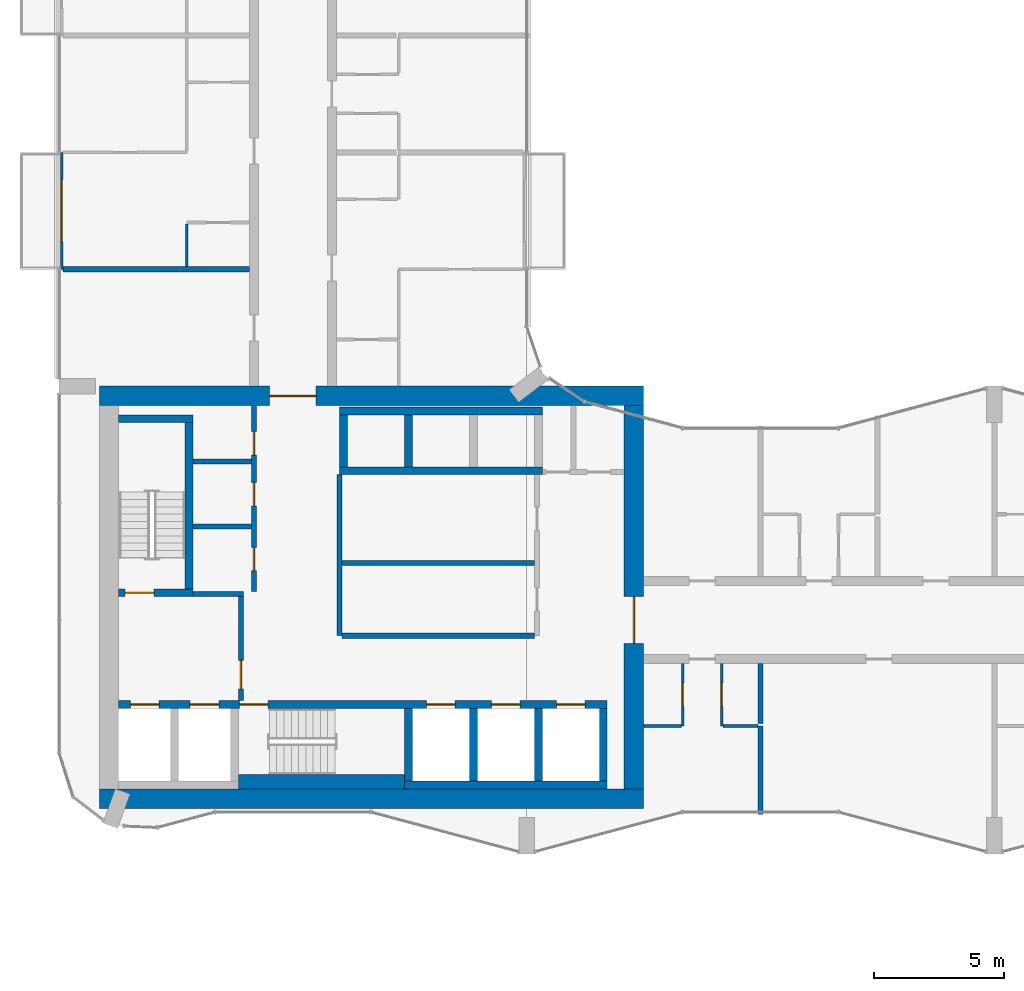
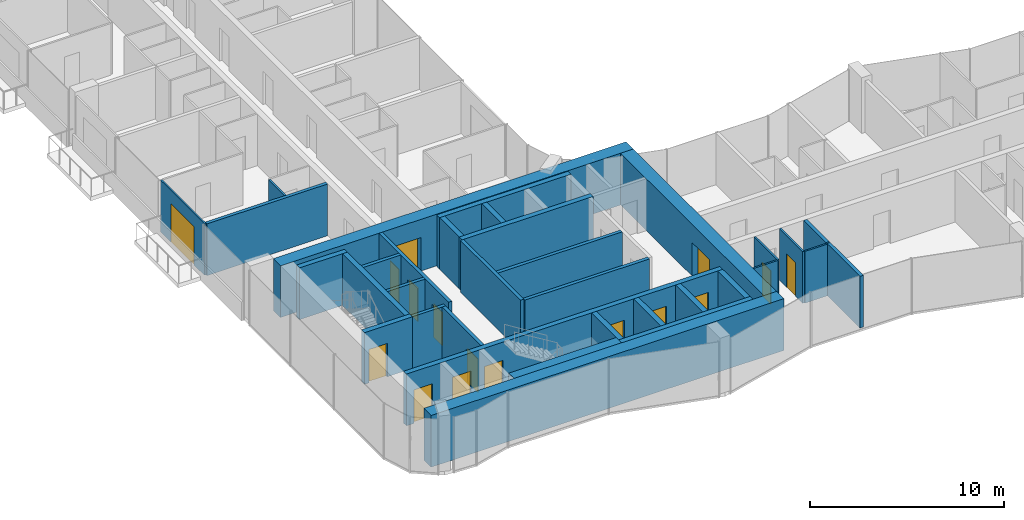
# One storey, part 13 of 22: 34 walls, 16 doors, 16 openings.
"""IFC4 building model written with IfcOpenShell, lengths in metres."""

from ifc_helpers import new_model, si_unit, direction, frame, frame_2d, origin, place, context, subcontext, project, spatial, rectangle, extrude, material, layer, layer_set, type_object, element, fill, save


model = new_model("IFC4")

# Units and contexts
model_context = context("Model", 3, precision=1e-05, world=origin(), true_north=direction((0.0, 1.0)))
body_context = subcontext(model_context, "Body", "Model", "MODEL_VIEW")
ifc_project = project(units=[si_unit("LENGTHUNIT", "METRE"), si_unit("AREAUNIT", "SQUARE_METRE"), si_unit("VOLUMEUNIT", "CUBIC_METRE"), si_unit("PLANEANGLEUNIT", "RADIAN"), si_unit("MASSUNIT", "GRAM", prefix="KILO")], contexts=[model_context])

# Site, building, storey
site_placement = place(None, origin())
site = spatial("IfcSite", under=ifc_project, at=site_placement, CompositionType="ELEMENT")
building_placement = place(site_placement, origin())
building = spatial("IfcBuilding", under=site, at=building_placement, Name="Plateau Cross Towers", CompositionType="ELEMENT")
storey_placement = place(building_placement, frame((0.0, 0.0, 58.300048828125)))
storey = spatial("IfcBuildingStorey", under=building, at=storey_placement, Name="L14", CompositionType="ELEMENT", Elevation=58.300048828125)

# Wall, opening, door
ifc_material_1 = material(Name="Aluminium framed glazing", Category="aluminium")
ifc_layer_1 = layer(ifc_material_1, 0.10009765625)
ifc_layer_set_1 = layer_set([ifc_layer_1], Name="Aluminium framed glazing")
wall_type_1 = type_object("IfcWallType", Name="Balcony screen wall 100", PredefinedType="STANDARD", material=ifc_layer_set_1)
wall_1_placement = place(storey_placement, frame((0.10009765625, 22.5, 0.0), z_axis=(0.0, 0.0, 1.0), x_axis=(0.0, 1.0, 0.0)))
wall_1 = element("IfcWall", 1, at=wall_1_placement, inside=storey, type_object=wall_type_1, Name="Balcony screen wall A-BAL-L14-01", PredefinedType="STANDARD", context=body_context, shape_type="SweptSolid", body=[
    extrude(rectangle(XDim=4.5, YDim=0.10009765625, at=frame_2d((2.25, 0.0))), origin(), (0.0, 0.0, 1.0), 3.25),
])
opening_1_placement = place(wall_1_placement, frame((1.050048828125, 0.0, 0.0)))
opening_1 = element("IfcOpeningElement", 2, at=opening_1_placement, cuts=wall_1, Name="Opening D-B24", PredefinedType="OPENING", context=body_context, shape_type="SweptSolid", body=[
    extrude(rectangle(XDim=2.39990234375, YDim=2.39990234375, at=frame_2d((1.199951171875, 1.199951171875))), frame((0.0, 0.06005859375, 0.0), z_axis=(0.0, -1.0, 0.0), x_axis=(1.0, 0.0, 0.0)), (0.0, 0.0, 1.0), 0.1201171875),
])
ifc_material_2 = material(Name="Aluminium frame, double glazing", Category="aluminium")
door_type_1 = type_object("IfcDoorType", Name="Balcony sliding door 2400", OperationType="NOTDEFINED", PredefinedType="DOOR", material=ifc_material_2)
door_1_placement = place(opening_1_placement, origin())
door_1 = element("IfcDoor", 3, at=door_1_placement, inside=storey, type_object=door_type_1, Name="Balcony door A-BAL-L14-01", OperationType="SINGLE_SWING_LEFT", OverallHeight=2.39990234375, OverallWidth=2.39990234375, PredefinedType="DOOR", context=body_context, shape_type="SweptSolid", body=[
    extrude(rectangle(XDim=2.39990234375, YDim=2.39990234375, at=frame_2d((1.199951171875, 1.199951171875))), frame((0.0, 0.02490234375, 0.0), z_axis=(0.0, -1.0, 0.0), x_axis=(1.0, 0.0, 0.0)), (0.0, 0.0, 1.0), 0.050048828125),
])
fill(opening_1, door_1)

ifc_material_3 = material(Name="Concrete block, plastered both sides", Category="concrete")
ifc_layer_2 = layer(ifc_material_3, 0.199951171875)
ifc_layer_set_2 = layer_set([ifc_layer_2], Name="Concrete block, plastered both sides")
wall_type_2 = type_object("IfcWallType", Name="Core partition 200", PredefinedType="PARTITIONING", material=ifc_layer_set_2)
wall_2_placement = place(storey_placement, frame((7.0, 5.89990234375, 0.0), z_axis=(0.0, 0.0, 1.0), x_axis=(0.0, 1.0, 0.0)))
wall_2 = element("IfcWall", 4, at=wall_2_placement, inside=storey, type_object=wall_type_2, Name="Core partition", PredefinedType="PARTITIONING", context=body_context, shape_type="SweptSolid", body=[
    extrude(rectangle(XDim=4.0, YDim=0.199951171875, at=frame_2d((2.0, 0.0))), origin(), (0.0, 0.0, 1.0), 3.25),
])
opening_2_placement = place(wall_2_placement, frame((0.449951171875, 0.0, 0.0)))
opening_2 = element("IfcOpeningElement", 5, at=opening_2_placement, cuts=wall_2, Name="Opening FFD", PredefinedType="OPENING", context=body_context, shape_type="SweptSolid", body=[
    extrude(rectangle(XDim=1.10009765625, YDim=2.10009765625, at=frame_2d((0.550048828125, 1.050048828125))), frame((0.0, 0.10986328125, 0.0), z_axis=(0.0, -1.0, 0.0), x_axis=(1.0, 0.0, 0.0)), (0.0, 0.0, 1.0), 0.219970703125),
])
ifc_material_4 = material(Name="Steel, fire-resisting leaf", Category="steel")
door_type_2 = type_object("IfcDoorType", Name="Firefighting lobby door 1100", OperationType="NOTDEFINED", PredefinedType="DOOR", material=ifc_material_4)
door_2_placement = place(opening_2_placement, origin())
door_2 = element("IfcDoor", 6, at=door_2_placement, inside=storey, type_object=door_type_2, Name="Firefighting lobby door FFD", OperationType="SINGLE_SWING_LEFT", OverallHeight=2.10009765625, OverallWidth=1.10009765625, PredefinedType="DOOR", context=body_context, shape_type="SweptSolid", body=[
    extrude(rectangle(XDim=1.10009765625, YDim=2.10009765625, at=frame_2d((0.550048828125, 1.050048828125))), frame((0.0, 0.02490234375, 0.0), z_axis=(0.0, -1.0, 0.0), x_axis=(1.0, 0.0, 0.0)), (0.0, 0.0, 1.0), 0.050048828125),
])
fill(opening_2, door_2)

# Walls
wall_3_placement = place(storey_placement, frame((5.14990234375, 10.0, 0.0), z_axis=(0.0, 0.0, 1.0), x_axis=(1.0, 0.0, 0.0)))
element("IfcWall", 7, at=wall_3_placement, inside=storey, type_object=wall_type_2, Name="Core partition", PredefinedType="PARTITIONING", context=body_context, shape_type="SweptSolid", body=[
    extrude(rectangle(XDim=1.9501953125, YDim=0.199951171875, at=frame_2d((0.97509765625, 0.0))), origin(), (0.0, 0.0, 1.0), 3.25),
])
wall_4_placement = place(storey_placement, frame((10.800048828125, 8.39990234375, 0.0), z_axis=(0.0, 0.0, 1.0), x_axis=(0.0, 1.0, 0.0)))
element("IfcWall", 8, at=wall_4_placement, inside=storey, type_object=wall_type_2, Name="Core partition", PredefinedType="PARTITIONING", context=body_context, shape_type="SweptSolid", body=[
    extrude(rectangle(XDim=6.2001953125, YDim=0.199951171875, at=frame_2d((3.10009765625, 0.0))), origin(), (0.0, 0.0, 1.0), 3.25),
])
for number, where, z_axis, x_axis, name in (
    (9, (10.89990234375, 8.39990234375, 0.0), (0.0, 0.0, 1.0), (1.0, 0.0, 0.0), "Core partition"),
    (10, (10.89990234375, 11.199951171875, 0.0), (0.0, 0.0, 1.0), (1.0, 0.0, 0.0), "Core partition"),
):
    element("IfcWall", number, at=place(storey_placement, frame(where, z_axis=z_axis, x_axis=x_axis)), inside=storey, type_object=wall_type_2, Name=name, PredefinedType="PARTITIONING", context=body_context, shape_type="SweptSolid", body=[
        extrude(rectangle(XDim=7.400146484375, YDim=0.199951171875, at=frame_2d((3.7001953125, 0.0))), origin(), (0.0, 0.0, 1.0), 3.25),
    ])

# Wall, openings, doors
wall_5_placement = place(storey_placement, frame((7.5, 10.10009765625, 0.0), z_axis=(0.0, 0.0, 1.0), x_axis=(0.0, 1.0, 0.0)))
wall_5 = element("IfcWall", 11, at=wall_5_placement, inside=storey, type_object=wall_type_2, Name="Core partition", PredefinedType="PARTITIONING", context=body_context, shape_type="SweptSolid", body=[
    extrude(rectangle(XDim=7.14990234375, YDim=0.199951171875, at=frame_2d((3.574951171875, 0.0))), origin(), (0.0, 0.0, 1.0), 3.25),
])
opening_3_placement = place(wall_5_placement, frame((0.800048828125, 0.0, 0.0)))
opening_3 = element("IfcOpeningElement", 12, at=opening_3_placement, cuts=wall_5, Name="Opening RD1", PredefinedType="OPENING", context=body_context, shape_type="SweptSolid", body=[
    extrude(rectangle(XDim=0.89990234375, YDim=2.10009765625, at=frame_2d((0.449951171875, 1.050048828125))), frame((0.0, 0.10986328125, 0.0), z_axis=(0.0, -1.0, 0.0), x_axis=(1.0, 0.0, 0.0)), (0.0, 0.0, 1.0), 0.219970703125),
])
opening_4_placement = place(wall_5_placement, frame((3.300048828125, 0.0, 0.0)))
opening_4 = element("IfcOpeningElement", 13, at=opening_4_placement, cuts=wall_5, Name="Opening RD1", PredefinedType="OPENING", context=body_context, shape_type="SweptSolid", body=[
    extrude(rectangle(XDim=0.89990234375, YDim=2.10009765625, at=frame_2d((0.449951171875, 1.050048828125))), frame((0.0, 0.10986328125, 0.0), z_axis=(0.0, -1.0, 0.0), x_axis=(1.0, 0.0, 0.0)), (0.0, 0.0, 1.0), 0.219970703125),
])
opening_5_placement = place(wall_5_placement, frame((5.25, 0.0, 0.0)))
opening_5 = element("IfcOpeningElement", 14, at=opening_5_placement, cuts=wall_5, Name="Opening RD1", PredefinedType="OPENING", context=body_context, shape_type="SweptSolid", body=[
    extrude(rectangle(XDim=0.89990234375, YDim=2.10009765625, at=frame_2d((0.449951171875, 1.050048828125))), frame((0.0, 0.10986328125, 0.0), z_axis=(0.0, -1.0, 0.0), x_axis=(1.0, 0.0, 0.0)), (0.0, 0.0, 1.0), 0.219970703125),
])
ifc_material_5 = material(Name="Timber, fire-resisting leaf", Category="wood")
door_type_3 = type_object("IfcDoorType", Name="Core service door 900", OperationType="NOTDEFINED", PredefinedType="DOOR", material=ifc_material_5)
door_3_placement = place(opening_3_placement, origin())
door_3 = element("IfcDoor", 15, at=door_3_placement, inside=storey, type_object=door_type_3, Name="Core service door RD1", OperationType="SINGLE_SWING_RIGHT", OverallHeight=2.10009765625, OverallWidth=0.89990234375, PredefinedType="DOOR", context=body_context, shape_type="SweptSolid", body=[
    extrude(rectangle(XDim=0.89990234375, YDim=2.10009765625, at=frame_2d((0.449951171875, 1.050048828125))), frame((0.0, 0.02490234375, 0.0), z_axis=(0.0, -1.0, 0.0), x_axis=(1.0, 0.0, 0.0)), (0.0, 0.0, 1.0), 0.050048828125),
])
fill(opening_3, door_3)
door_4_placement = place(opening_4_placement, origin())
door_4 = element("IfcDoor", 16, at=door_4_placement, inside=storey, type_object=door_type_3, Name="Core service door RD1", OperationType="SINGLE_SWING_RIGHT", OverallHeight=2.10009765625, OverallWidth=0.89990234375, PredefinedType="DOOR", context=body_context, shape_type="SweptSolid", body=[
    extrude(rectangle(XDim=0.89990234375, YDim=2.10009765625, at=frame_2d((0.449951171875, 1.050048828125))), frame((0.0, 0.02490234375, 0.0), z_axis=(0.0, -1.0, 0.0), x_axis=(1.0, 0.0, 0.0)), (0.0, 0.0, 1.0), 0.050048828125),
])
fill(opening_4, door_4)
door_5_placement = place(opening_5_placement, origin())
door_5 = element("IfcDoor", 17, at=door_5_placement, inside=storey, type_object=door_type_3, Name="Core service door RD1", OperationType="SINGLE_SWING_RIGHT", OverallHeight=2.10009765625, OverallWidth=0.89990234375, PredefinedType="DOOR", context=body_context, shape_type="SweptSolid", body=[
    extrude(rectangle(XDim=0.89990234375, YDim=2.10009765625, at=frame_2d((0.449951171875, 1.050048828125))), frame((0.0, 0.02490234375, 0.0), z_axis=(0.0, -1.0, 0.0), x_axis=(1.0, 0.0, 0.0)), (0.0, 0.0, 1.0), 0.050048828125),
])
fill(opening_5, door_5)

# Walls
for number, where, z_axis, x_axis, name in (
    (18, (5.14990234375, 12.60009765625, 0.0), (0.0, 0.0, 1.0), (1.0, 0.0, 0.0), "Core partition"),
    (19, (5.14990234375, 15.10009765625, 0.0), (0.0, 0.0, 1.0), (1.0, 0.0, 0.0), "Core partition"),
):
    element("IfcWall", number, at=place(storey_placement, frame(where, z_axis=z_axis, x_axis=x_axis)), inside=storey, type_object=wall_type_2, Name=name, PredefinedType="PARTITIONING", context=body_context, shape_type="SweptSolid", body=[
        extrude(rectangle(XDim=2.25, YDim=0.199951171875, at=frame_2d((1.125, 0.0))), origin(), (0.0, 0.0, 1.0), 3.25),
    ])
ifc_material_6 = material(Name="Concrete C60/75", Category="concrete")
ifc_layer_3 = layer(ifc_material_6, 0.300048828125)
ifc_layer_set_3 = layer_set([ifc_layer_3], Name="Concrete C60/75")
wall_type_3 = type_object("IfcWallType", Name="Core shaft wall 300", PredefinedType="SHEAR", material=ifc_layer_set_3)
wall_6_placement = place(storey_placement, frame((13.300048828125, 2.64990234375, 0.0), z_axis=(0.0, 0.0, 1.0), x_axis=(1.0, 0.0, 0.0)))
element("IfcWall", 20, at=wall_6_placement, inside=storey, type_object=wall_type_3, Name="A-sb-back3@L14", PredefinedType="SHEAR", context=body_context, shape_type="SweptSolid", body=[
    extrude(rectangle(XDim=7.800048828125, YDim=0.300048828125, at=frame_2d((3.89990234375, 0.0))), origin(), (0.0, 0.0, 1.0), 3.25),
])
for number, where, z_axis, x_axis, name in (
    (21, (13.449951171875, 2.800048828125, 0.0), (0.0, 0.0, 1.0), (0.0, 1.0, 0.0), "A-sb-v3@L14"),
    (22, (15.949951171875, 2.800048828125, 0.0), (0.0, 0.0, 1.0), (0.0, 1.0, 0.0), "A-sb-v4@L14"),
    (23, (18.449951171875, 2.800048828125, 0.0), (0.0, 0.0, 1.0), (0.0, 1.0, 0.0), "A-sb-v5@L14"),
    (24, (20.949951171875, 2.800048828125, 0.0), (0.0, 0.0, 1.0), (0.0, 1.0, 0.0), "A-sb-v6@L14"),
):
    element("IfcWall", number, at=place(storey_placement, frame(where, z_axis=z_axis, x_axis=x_axis)), inside=storey, type_object=wall_type_3, Name=name, PredefinedType="SHEAR", context=body_context, shape_type="SweptSolid", body=[
        extrude(rectangle(XDim=2.800048828125, YDim=0.300048828125, at=frame_2d((1.39990234375, 0.0))), origin(), (0.0, 0.0, 1.0), 3.25),
    ])

# Wall, openings, doors
wall_7_placement = place(storey_placement, frame((2.300048828125, 5.75, 0.0), z_axis=(0.0, 0.0, 1.0), x_axis=(1.0, 0.0, 0.0)))
wall_7 = element("IfcWall", 25, at=wall_7_placement, inside=storey, type_object=wall_type_3, Name="A-sb-front@L14", PredefinedType="SHEAR", context=body_context, shape_type="SweptSolid", body=[
    extrude(rectangle(XDim=18.800048828125, YDim=0.300048828125, at=frame_2d((9.39990234375, 0.0))), origin(), (0.0, 0.0, 1.0), 3.25),
])
opening_6_placement = place(wall_7_placement, frame((4.64990234375, 0.0, 0.0)))
opening_6 = element("IfcOpeningElement", 26, at=opening_6_placement, cuts=wall_7, Name="Opening SD", PredefinedType="OPENING", context=body_context, shape_type="SweptSolid", body=[
    extrude(rectangle(XDim=1.10009765625, YDim=2.10009765625, at=frame_2d((0.550048828125, 1.050048828125))), frame((0.0, 0.159912109375, 0.0), z_axis=(0.0, -1.0, 0.0), x_axis=(1.0, 0.0, 0.0)), (0.0, 0.0, 1.0), 0.320068359375),
])
opening_7_placement = place(wall_7_placement, frame((0.449951171875, 0.0, 0.0)))
opening_7 = element("IfcOpeningElement", 27, at=opening_7_placement, cuts=wall_7, Name="Opening LD", PredefinedType="OPENING", context=body_context, shape_type="SweptSolid", body=[
    extrude(rectangle(XDim=1.10009765625, YDim=2.10009765625, at=frame_2d((0.550048828125, 1.050048828125))), frame((0.0, 0.159912109375, 0.0), z_axis=(0.0, -1.0, 0.0), x_axis=(1.0, 0.0, 0.0)), (0.0, 0.0, 1.0), 0.320068359375),
])
opening_8_placement = place(wall_7_placement, frame((2.75, 0.0, 0.0)))
opening_8 = element("IfcOpeningElement", 28, at=opening_8_placement, cuts=wall_7, Name="Opening LD", PredefinedType="OPENING", context=body_context, shape_type="SweptSolid", body=[
    extrude(rectangle(XDim=1.10009765625, YDim=2.10009765625, at=frame_2d((0.550048828125, 1.050048828125))), frame((0.0, 0.159912109375, 0.0), z_axis=(0.0, -1.0, 0.0), x_axis=(1.0, 0.0, 0.0)), (0.0, 0.0, 1.0), 0.320068359375),
])
opening_9_placement = place(wall_7_placement, frame((11.85009765625, 0.0, 0.0)))
opening_9 = element("IfcOpeningElement", 29, at=opening_9_placement, cuts=wall_7, Name="Opening LD", PredefinedType="OPENING", context=body_context, shape_type="SweptSolid", body=[
    extrude(rectangle(XDim=1.10009765625, YDim=2.10009765625, at=frame_2d((0.550048828125, 1.050048828125))), frame((0.0, 0.159912109375, 0.0), z_axis=(0.0, -1.0, 0.0), x_axis=(1.0, 0.0, 0.0)), (0.0, 0.0, 1.0), 0.320068359375),
])
opening_10_placement = place(wall_7_placement, frame((14.35009765625, 0.0, 0.0)))
opening_10 = element("IfcOpeningElement", 30, at=opening_10_placement, cuts=wall_7, Name="Opening LD", PredefinedType="OPENING", context=body_context, shape_type="SweptSolid", body=[
    extrude(rectangle(XDim=1.10009765625, YDim=2.10009765625, at=frame_2d((0.550048828125, 1.050048828125))), frame((0.0, 0.159912109375, 0.0), z_axis=(0.0, -1.0, 0.0), x_axis=(1.0, 0.0, 0.0)), (0.0, 0.0, 1.0), 0.320068359375),
])
opening_11_placement = place(wall_7_placement, frame((16.85009765625, 0.0, 0.0)))
opening_11 = element("IfcOpeningElement", 31, at=opening_11_placement, cuts=wall_7, Name="Opening LD", PredefinedType="OPENING", context=body_context, shape_type="SweptSolid", body=[
    extrude(rectangle(XDim=1.10009765625, YDim=2.10009765625, at=frame_2d((0.550048828125, 1.050048828125))), frame((0.0, 0.159912109375, 0.0), z_axis=(0.0, -1.0, 0.0), x_axis=(1.0, 0.0, 0.0)), (0.0, 0.0, 1.0), 0.320068359375),
])
ifc_material_7 = material(Name="Stainless steel, fire-resisting sliding leaves", Category="steel")
door_type_4 = type_object("IfcDoorType", Name="Lift landing door 1100", OperationType="NOTDEFINED", PredefinedType="DOOR", material=ifc_material_7)
door_6_placement = place(opening_7_placement, origin())
door_6 = element("IfcDoor", 32, at=door_6_placement, inside=storey, type_object=door_type_4, Name="Lift landing door LD", OperationType="DOUBLE_DOOR_SLIDING", OverallHeight=2.10009765625, OverallWidth=1.10009765625, PredefinedType="DOOR", context=body_context, shape_type="SweptSolid", body=[
    extrude(rectangle(XDim=1.10009765625, YDim=2.10009765625, at=frame_2d((0.550048828125, 1.050048828125))), frame((0.0, 0.02490234375, 0.0), z_axis=(0.0, -1.0, 0.0), x_axis=(1.0, 0.0, 0.0)), (0.0, 0.0, 1.0), 0.050048828125),
])
fill(opening_7, door_6)
door_7_placement = place(opening_8_placement, origin())
door_7 = element("IfcDoor", 33, at=door_7_placement, inside=storey, type_object=door_type_4, Name="Lift landing door LD", OperationType="DOUBLE_DOOR_SLIDING", OverallHeight=2.10009765625, OverallWidth=1.10009765625, PredefinedType="DOOR", context=body_context, shape_type="SweptSolid", body=[
    extrude(rectangle(XDim=1.10009765625, YDim=2.10009765625, at=frame_2d((0.550048828125, 1.050048828125))), frame((0.0, 0.02490234375, 0.0), z_axis=(0.0, -1.0, 0.0), x_axis=(1.0, 0.0, 0.0)), (0.0, 0.0, 1.0), 0.050048828125),
])
fill(opening_8, door_7)
door_8_placement = place(opening_9_placement, origin())
door_8 = element("IfcDoor", 34, at=door_8_placement, inside=storey, type_object=door_type_4, Name="Lift landing door LD", OperationType="DOUBLE_DOOR_SLIDING", OverallHeight=2.10009765625, OverallWidth=1.10009765625, PredefinedType="DOOR", context=body_context, shape_type="SweptSolid", body=[
    extrude(rectangle(XDim=1.10009765625, YDim=2.10009765625, at=frame_2d((0.550048828125, 1.050048828125))), frame((0.0, 0.02490234375, 0.0), z_axis=(0.0, -1.0, 0.0), x_axis=(1.0, 0.0, 0.0)), (0.0, 0.0, 1.0), 0.050048828125),
])
fill(opening_9, door_8)
door_9_placement = place(opening_10_placement, origin())
door_9 = element("IfcDoor", 35, at=door_9_placement, inside=storey, type_object=door_type_4, Name="Lift landing door LD", OperationType="DOUBLE_DOOR_SLIDING", OverallHeight=2.10009765625, OverallWidth=1.10009765625, PredefinedType="DOOR", context=body_context, shape_type="SweptSolid", body=[
    extrude(rectangle(XDim=1.10009765625, YDim=2.10009765625, at=frame_2d((0.550048828125, 1.050048828125))), frame((0.0, 0.02490234375, 0.0), z_axis=(0.0, -1.0, 0.0), x_axis=(1.0, 0.0, 0.0)), (0.0, 0.0, 1.0), 0.050048828125),
])
fill(opening_10, door_9)
door_10_placement = place(opening_11_placement, origin())
door_10 = element("IfcDoor", 36, at=door_10_placement, inside=storey, type_object=door_type_4, Name="Lift landing door LD", OperationType="DOUBLE_DOOR_SLIDING", OverallHeight=2.10009765625, OverallWidth=1.10009765625, PredefinedType="DOOR", context=body_context, shape_type="SweptSolid", body=[
    extrude(rectangle(XDim=1.10009765625, YDim=2.10009765625, at=frame_2d((0.550048828125, 1.050048828125))), frame((0.0, 0.02490234375, 0.0), z_axis=(0.0, -1.0, 0.0), x_axis=(1.0, 0.0, 0.0)), (0.0, 0.0, 1.0), 0.050048828125),
])
fill(opening_11, door_10)
door_type_5 = type_object("IfcDoorType", Name="Stair door 1100", OperationType="NOTDEFINED", PredefinedType="DOOR", material=ifc_material_4)
door_11_placement = place(opening_6_placement, origin())
door_11 = element("IfcDoor", 37, at=door_11_placement, inside=storey, type_object=door_type_5, Name="Stair door SD", OperationType="SINGLE_SWING_LEFT", OverallHeight=2.10009765625, OverallWidth=1.10009765625, PredefinedType="DOOR", context=body_context, shape_type="SweptSolid", body=[
    extrude(rectangle(XDim=1.10009765625, YDim=2.10009765625, at=frame_2d((0.550048828125, 1.050048828125))), frame((0.0, 0.02490234375, 0.0), z_axis=(0.0, -1.0, 0.0), x_axis=(1.0, 0.0, 0.0)), (0.0, 0.0, 1.0), 0.050048828125),
])
fill(opening_6, door_11)

# Wall, opening, door
wall_8_placement = place(storey_placement, frame((2.300048828125, 10.050048828125, 0.0), z_axis=(0.0, 0.0, 1.0), x_axis=(1.0, 0.0, 0.0)))
wall_8 = element("IfcWall", 38, at=wall_8_placement, inside=storey, type_object=wall_type_3, Name="A-st1-S@L14", PredefinedType="SHEAR", context=body_context, shape_type="SweptSolid", body=[
    extrude(rectangle(XDim=2.849853515625, YDim=0.300048828125, at=frame_2d((1.4248046875, 0.0))), origin(), (0.0, 0.0, 1.0), 3.25),
])
opening_12_placement = place(wall_8_placement, frame((0.25, 0.0, 0.0)))
opening_12 = element("IfcOpeningElement", 39, at=opening_12_placement, cuts=wall_8, Name="Opening SD", PredefinedType="OPENING", context=body_context, shape_type="SweptSolid", body=[
    extrude(rectangle(XDim=1.10009765625, YDim=2.10009765625, at=frame_2d((0.550048828125, 1.050048828125))), frame((0.0, 0.159912109375, 0.0), z_axis=(0.0, -1.0, 0.0), x_axis=(1.0, 0.0, 0.0)), (0.0, 0.0, 1.0), 0.320068359375),
])
door_12_placement = place(opening_12_placement, origin())
door_12 = element("IfcDoor", 40, at=door_12_placement, inside=storey, type_object=door_type_5, Name="Stair door SD", OperationType="SINGLE_SWING_RIGHT", OverallHeight=2.10009765625, OverallWidth=1.10009765625, PredefinedType="DOOR", context=body_context, shape_type="SweptSolid", body=[
    extrude(rectangle(XDim=1.10009765625, YDim=2.10009765625, at=frame_2d((0.550048828125, 1.050048828125))), frame((0.0, 0.02490234375, 0.0), z_axis=(0.0, -1.0, 0.0), x_axis=(1.0, 0.0, 0.0)), (0.0, 0.0, 1.0), 0.050048828125),
])
fill(opening_12, door_12)

# Walls
wall_9_placement = place(storey_placement, frame((5.0, 10.199951171875, 0.0), z_axis=(0.0, 0.0, 1.0), x_axis=(0.0, 1.0, 0.0)))
element("IfcWall", 41, at=wall_9_placement, inside=storey, type_object=wall_type_3, Name="A-st1-E@L14", PredefinedType="SHEAR", context=body_context, shape_type="SweptSolid", body=[
    extrude(rectangle(XDim=6.400146484375, YDim=0.300048828125, at=frame_2d((3.2001953125, 0.0))), origin(), (0.0, 0.0, 1.0), 3.25),
])
wall_10_placement = place(storey_placement, frame((2.300048828125, 16.75, 0.0), z_axis=(0.0, 0.0, 1.0), x_axis=(1.0, 0.0, 0.0)))
element("IfcWall", 42, at=wall_10_placement, inside=storey, type_object=wall_type_3, Name="A-st1-N@L14", PredefinedType="SHEAR", context=body_context, shape_type="SweptSolid", body=[
    extrude(rectangle(XDim=2.849853515625, YDim=0.300048828125, at=frame_2d((1.4248046875, 0.0))), origin(), (0.0, 0.0, 1.0), 3.25),
])
for number, where, z_axis, x_axis, name in (
    (43, (10.800048828125, 17.050048828125, 0.0), (0.0, 0.0, 1.0), (1.0, 0.0, 0.0), "A-nb-back@L14"),
    (44, (10.800048828125, 14.75, 0.0), (0.0, 0.0, 1.0), (1.0, 0.0, 0.0), "A-nb-front@L14"),
):
    element("IfcWall", number, at=place(storey_placement, frame(where, z_axis=z_axis, x_axis=x_axis)), inside=storey, type_object=wall_type_3, Name=name, PredefinedType="SHEAR", context=body_context, shape_type="SweptSolid", body=[
        extrude(rectangle(XDim=7.800048828125, YDim=0.300048828125, at=frame_2d((3.89990234375, 0.0))), origin(), (0.0, 0.0, 1.0), 3.25),
    ])
for number, where, z_axis, x_axis, name in (
    (45, (10.949951171875, 14.89990234375, 0.0), (0.0, 0.0, 1.0), (0.0, 1.0, 0.0), "A-nb-v1@L14"),
    (46, (13.449951171875, 14.89990234375, 0.0), (0.0, 0.0, 1.0), (0.0, 1.0, 0.0), "A-nb-v2@L14"),
):
    element("IfcWall", number, at=place(storey_placement, frame(where, z_axis=z_axis, x_axis=x_axis)), inside=storey, type_object=wall_type_3, Name=name, PredefinedType="SHEAR", context=body_context, shape_type="SweptSolid", body=[
        extrude(rectangle(XDim=2.0, YDim=0.300048828125, at=frame_2d((1.0, 0.0))), origin(), (0.0, 0.0, 1.0), 3.25),
    ])
ifc_layer_4 = layer(ifc_material_6, 0.550048828125)
ifc_layer_set_4 = layer_set([ifc_layer_4], Name="Concrete C60/75")
wall_type_4 = type_object("IfcWallType", Name="Core shaft wall 550", PredefinedType="SHEAR", material=ifc_layer_set_4)
wall_11_placement = place(storey_placement, frame((6.89990234375, 2.77490234375, 0.0), z_axis=(0.0, 0.0, 1.0), x_axis=(1.0, 0.0, 0.0)))
element("IfcWall", 47, at=wall_11_placement, inside=storey, type_object=wall_type_4, Name="A-sb-back2@L14", PredefinedType="SHEAR", context=body_context, shape_type="SweptSolid", body=[
    extrude(rectangle(XDim=6.400146484375, YDim=0.550048828125, at=frame_2d((3.2001953125, 0.0))), origin(), (0.0, 0.0, 1.0), 3.25),
])
ifc_layer_5 = layer(ifc_material_6, 0.75)
ifc_layer_set_5 = layer_set([ifc_layer_5], Name="Concrete C60/75")
wall_type_5 = type_object("IfcWallType", Name="Core shell wall 750", PredefinedType="SHEAR", material=ifc_layer_set_5)
wall_12_placement = place(storey_placement, frame((1.550048828125, 2.125, 0.0), z_axis=(0.0, 0.0, 1.0), x_axis=(1.0, 0.0, 0.0)))
element("IfcWall", 48, at=wall_12_placement, inside=storey, type_object=wall_type_5, Name="A-core-S@L14", PredefinedType="SHEAR", context=body_context, shape_type="SweptSolid", body=[
    extrude(rectangle(XDim=20.949951171875, YDim=0.75, at=frame_2d((10.47509765625, 0.0))), origin(), (0.0, 0.0, 1.0), 3.25),
])

# Wall, opening, door
wall_13_placement = place(storey_placement, frame((1.550048828125, 17.625, 0.0), z_axis=(0.0, 0.0, 1.0), x_axis=(1.0, 0.0, 0.0)))
wall_13 = element("IfcWall", 49, at=wall_13_placement, inside=storey, type_object=wall_type_5, Name="A-core-N@L14", PredefinedType="SHEAR", context=body_context, shape_type="SweptSolid", body=[
    extrude(rectangle(XDim=20.949951171875, YDim=0.75, at=frame_2d((10.47509765625, 0.0))), origin(), (0.0, 0.0, 1.0), 3.25),
])
opening_13_placement = place(wall_13_placement, frame((6.550048828125, 0.0, 0.0)))
opening_13 = element("IfcOpeningElement", 50, at=opening_13_placement, cuts=wall_13, Name="Opening CD", PredefinedType="OPENING", context=body_context, shape_type="SweptSolid", body=[
    extrude(rectangle(XDim=1.800048828125, YDim=2.10009765625, at=frame_2d((0.89990234375, 1.050048828125))), frame((0.0, 0.385009765625, 0.0), z_axis=(0.0, -1.0, 0.0), x_axis=(1.0, 0.0, 0.0)), (0.0, 0.0, 1.0), 0.77001953125),
])
ifc_material_8 = material(Name="Steel, fire-resisting leaves", Category="steel")
door_type_6 = type_object("IfcDoorType", Name="Corridor door pair 1800", OperationType="NOTDEFINED", PredefinedType="DOOR", material=ifc_material_8)
door_13_placement = place(opening_13_placement, origin())
door_13 = element("IfcDoor", 51, at=door_13_placement, inside=storey, type_object=door_type_6, Name="Corridor door pair CD", OperationType="DOUBLE_DOOR_SINGLE_SWING", OverallHeight=2.10009765625, OverallWidth=1.800048828125, PredefinedType="DOOR", context=body_context, shape_type="SweptSolid", body=[
    extrude(rectangle(XDim=1.800048828125, YDim=2.10009765625, at=frame_2d((0.89990234375, 1.050048828125))), frame((0.0, 0.02490234375, 0.0), z_axis=(0.0, -1.0, 0.0), x_axis=(1.0, 0.0, 0.0)), (0.0, 0.0, 1.0), 0.050048828125),
])
fill(opening_13, door_13)

wall_14_placement = place(storey_placement, frame((22.125, 2.5, 0.0), z_axis=(0.0, 0.0, 1.0), x_axis=(0.0, 1.0, 0.0)))
wall_14 = element("IfcWall", 52, at=wall_14_placement, inside=storey, type_object=wall_type_5, Name="A-core-E@L14", PredefinedType="SHEAR", context=body_context, shape_type="SweptSolid", body=[
    extrude(rectangle(XDim=14.75, YDim=0.75, at=frame_2d((7.375, 0.0))), origin(), (0.0, 0.0, 1.0), 3.25),
])
opening_14_placement = place(wall_14_placement, frame((5.60009765625, 0.0, 0.0)))
opening_14 = element("IfcOpeningElement", 53, at=opening_14_placement, cuts=wall_14, Name="Opening CD", PredefinedType="OPENING", context=body_context, shape_type="SweptSolid", body=[
    extrude(rectangle(XDim=1.800048828125, YDim=2.10009765625, at=frame_2d((0.89990234375, 1.050048828125))), frame((0.0, 0.385009765625, 0.0), z_axis=(0.0, -1.0, 0.0), x_axis=(1.0, 0.0, 0.0)), (0.0, 0.0, 1.0), 0.77001953125),
])
door_14_placement = place(opening_14_placement, origin())
door_14 = element("IfcDoor", 54, at=door_14_placement, inside=storey, type_object=door_type_6, Name="Corridor door pair CD", OperationType="DOUBLE_DOOR_SINGLE_SWING", OverallHeight=2.10009765625, OverallWidth=1.800048828125, PredefinedType="DOOR", context=body_context, shape_type="SweptSolid", body=[
    extrude(rectangle(XDim=1.800048828125, YDim=2.10009765625, at=frame_2d((0.89990234375, 1.050048828125))), frame((0.0, 0.02490234375, 0.0), z_axis=(0.0, -1.0, 0.0), x_axis=(1.0, 0.0, 0.0)), (0.0, 0.0, 1.0), 0.050048828125),
])
fill(opening_14, door_14)

# Walls
ifc_material_9 = material(Name="Gypsum board on steel studs", Category="steel")
ifc_layer_6 = layer(ifc_material_9, 0.10009765625)
ifc_layer_set_6 = layer_set([ifc_layer_6], Name="Gypsum board on steel studs")
wall_type_6 = type_object("IfcWallType", Name="Flat partition 100", PredefinedType="PARTITIONING", material=ifc_layer_set_6)
wall_15_placement = place(storey_placement, frame((22.5, 4.925048828125, 0.0), z_axis=(0.0, 0.0, 1.0), x_axis=(1.0, 0.0, 0.0)))
element("IfcWall", 55, at=wall_15_placement, inside=storey, type_object=wall_type_6, Name="Partition wall", PredefinedType="PARTITIONING", context=body_context, shape_type="SweptSolid", body=[
    extrude(rectangle(XDim=1.449951171875, YDim=0.10009765625, at=frame_2d((0.72509765625, 0.0))), origin(), (0.0, 0.0, 1.0), 3.25),
])
wall_16_placement = place(storey_placement, frame((25.550048828125, 4.925048828125, 0.0), z_axis=(0.0, 0.0, 1.0), x_axis=(1.0, 0.0, 0.0)))
element("IfcWall", 56, at=wall_16_placement, inside=storey, type_object=wall_type_6, Name="Partition wall", PredefinedType="PARTITIONING", context=body_context, shape_type="SweptSolid", body=[
    extrude(rectangle(XDim=1.349853515625, YDim=0.10009765625, at=frame_2d((0.6748046875, 0.0))), origin(), (0.0, 0.0, 1.0), 3.25),
])
wall_17_placement = place(storey_placement, frame((4.925048828125, 24.25, 0.0), z_axis=(0.0, 0.0, 1.0), x_axis=(0.0, -1.0, 0.0)))
element("IfcWall", 57, at=wall_17_placement, inside=storey, type_object=wall_type_6, Name="Partition wall", PredefinedType="PARTITIONING", context=body_context, shape_type="SweptSolid", body=[
    extrude(rectangle(XDim=1.64990234375, YDim=0.10009765625, at=frame_2d((0.824951171875, 0.0))), origin(), (0.0, 0.0, 1.0), 3.25),
])

# Wall, opening, door
wall_18_placement = place(storey_placement, frame((24.0, 4.925048828125, 0.0), z_axis=(0.0, 0.0, 1.0), x_axis=(0.0, 1.0, 0.0)))
wall_18 = element("IfcWall", 58, at=wall_18_placement, inside=storey, type_object=wall_type_6, Name="Partition wall", PredefinedType="PARTITIONING", context=body_context, shape_type="SweptSolid", body=[
    extrude(rectangle(XDim=2.39990234375, YDim=0.10009765625, at=frame_2d((1.199951171875, 0.0))), origin(), (0.0, 0.0, 1.0), 3.25),
])
opening_15_placement = place(wall_18_placement, frame((0.75, 0.0, 0.0)))
opening_15 = element("IfcOpeningElement", 59, at=opening_15_placement, cuts=wall_18, Name="Opening 14-20", PredefinedType="OPENING", context=body_context, shape_type="SweptSolid", body=[
    extrude(rectangle(XDim=0.89990234375, YDim=2.10009765625, at=frame_2d((0.449951171875, 1.050048828125))), frame((0.0, 0.06005859375, 0.0), z_axis=(0.0, -1.0, 0.0), x_axis=(1.0, 0.0, 0.0)), (0.0, 0.0, 1.0), 0.1201171875),
])
ifc_material_10 = material(Name="Timber leaf", Category="wood")
door_type_7 = type_object("IfcDoorType", Name="Flat room door 900", OperationType="NOTDEFINED", PredefinedType="DOOR", material=ifc_material_10)
door_15_placement = place(opening_15_placement, origin())
door_15 = element("IfcDoor", 60, at=door_15_placement, inside=storey, type_object=door_type_7, Name="Door 14-20", OperationType="SINGLE_SWING_LEFT", OverallHeight=2.10009765625, OverallWidth=0.89990234375, PredefinedType="DOOR", context=body_context, shape_type="SweptSolid", body=[
    extrude(rectangle(XDim=0.89990234375, YDim=2.10009765625, at=frame_2d((0.449951171875, 1.050048828125))), frame((0.0, 0.02490234375, 0.0), z_axis=(0.0, -1.0, 0.0), x_axis=(1.0, 0.0, 0.0)), (0.0, 0.0, 1.0), 0.050048828125),
])
fill(opening_15, door_15)

wall_19_placement = place(storey_placement, frame((25.5, 7.324951171875, 0.0), z_axis=(0.0, 0.0, 1.0), x_axis=(0.0, -1.0, 0.0)))
wall_19 = element("IfcWall", 61, at=wall_19_placement, inside=storey, type_object=wall_type_6, Name="Partition wall", PredefinedType="PARTITIONING", context=body_context, shape_type="SweptSolid", body=[
    extrude(rectangle(XDim=2.39990234375, YDim=0.10009765625, at=frame_2d((1.199951171875, 0.0))), origin(), (0.0, 0.0, 1.0), 3.25),
])
opening_16_placement = place(wall_19_placement, frame((0.75, 0.0, 0.0)))
opening_16 = element("IfcOpeningElement", 62, at=opening_16_placement, cuts=wall_19, Name="Opening 14-21", PredefinedType="OPENING", context=body_context, shape_type="SweptSolid", body=[
    extrude(rectangle(XDim=0.89990234375, YDim=2.10009765625, at=frame_2d((0.449951171875, 1.050048828125))), frame((0.0, 0.06005859375, 0.0), z_axis=(0.0, -1.0, 0.0), x_axis=(1.0, 0.0, 0.0)), (0.0, 0.0, 1.0), 0.1201171875),
])
door_16_placement = place(opening_16_placement, origin())
door_16 = element("IfcDoor", 63, at=door_16_placement, inside=storey, type_object=door_type_7, Name="Door 14-21", OperationType="SINGLE_SWING_LEFT", OverallHeight=2.10009765625, OverallWidth=0.89990234375, PredefinedType="DOOR", context=body_context, shape_type="SweptSolid", body=[
    extrude(rectangle(XDim=0.89990234375, YDim=2.10009765625, at=frame_2d((0.449951171875, 1.050048828125))), frame((0.0, 0.02490234375, 0.0), z_axis=(0.0, -1.0, 0.0), x_axis=(1.0, 0.0, 0.0)), (0.0, 0.0, 1.0), 0.050048828125),
])
fill(opening_16, door_16)

# Walls
ifc_material_11 = material(Name="Gypsum board on steel studs, two layers each side", Category="steel")
ifc_layer_7 = layer(ifc_material_11, 0.199951171875)
ifc_layer_set_7 = layer_set([ifc_layer_7], Name="Gypsum board on steel studs, two layers each side")
wall_type_7 = type_object("IfcWallType", Name="Flat party wall 200", PredefinedType="PARTITIONING", material=ifc_layer_set_7)
wall_20_placement = place(storey_placement, frame((7.324951171875, 22.5, 0.0), z_axis=(0.0, 0.0, 1.0), x_axis=(-1.0, 0.0, 0.0)))
element("IfcWall", 64, at=wall_20_placement, inside=storey, type_object=wall_type_7, Name="Party wall", PredefinedType="PARTITIONING", context=body_context, shape_type="SweptSolid", body=[
    extrude(rectangle(XDim=7.175048828125, YDim=0.199951171875, at=frame_2d((3.58740234375, 0.0))), origin(), (0.0, 0.0, 1.0), 3.25),
])
wall_21_placement = place(storey_placement, frame((27.0, 4.925048828125, 0.0), z_axis=(0.0, 0.0, 1.0), x_axis=(0.0, -1.0, 0.0)))
element("IfcWall", 65, at=wall_21_placement, inside=storey, type_object=wall_type_7, Name="Party wall", PredefinedType="PARTITIONING", context=body_context, shape_type="SweptSolid", body=[
    extrude(rectangle(XDim=3.398193359375, YDim=0.199951171875, at=frame_2d((1.69921875, 0.0))), origin(), (0.0, 0.0, 1.0), 3.25),
])
wall_22_placement = place(storey_placement, frame((27.0, 5.02490234375, 0.0), z_axis=(0.0, 0.0, 1.0), x_axis=(0.0, 1.0, 0.0)))
element("IfcWall", 66, at=wall_22_placement, inside=storey, type_object=wall_type_7, Name="Party wall", PredefinedType="PARTITIONING", context=body_context, shape_type="SweptSolid", body=[
    extrude(rectangle(XDim=2.300048828125, YDim=0.199951171875, at=frame_2d((1.14990234375, 0.0))), origin(), (0.0, 0.0, 1.0), 3.25),
])

save(model, "model.ifc")
